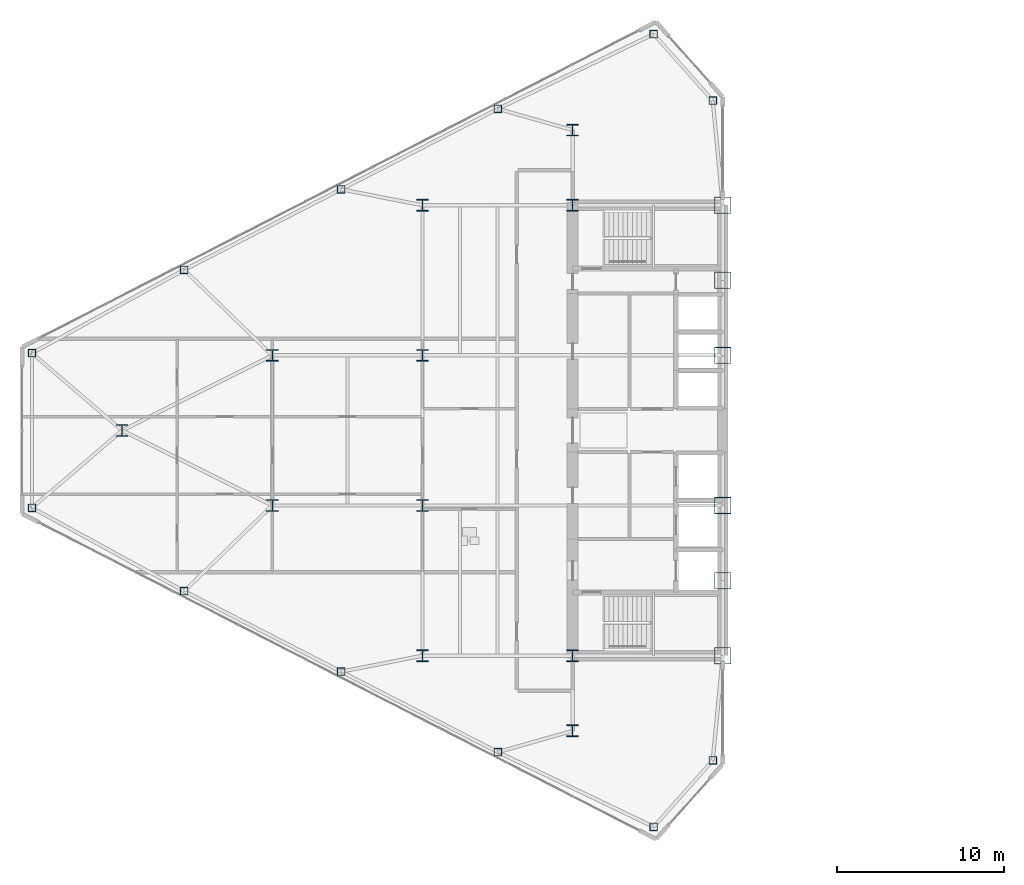
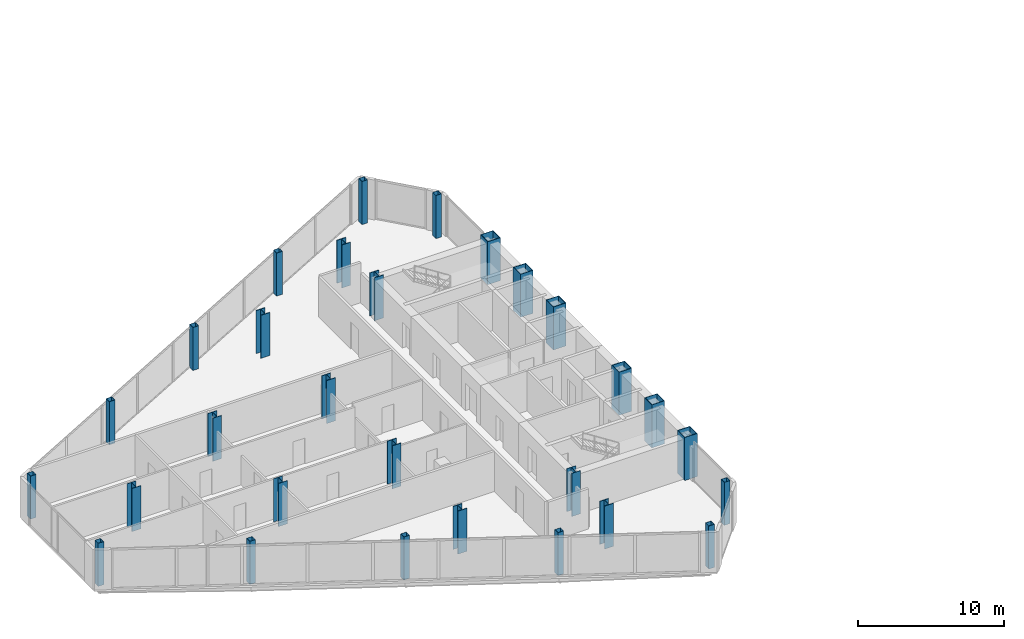
# One storey, part 1 of 23: 29 columns.
"""IFC4 building model written with IfcOpenShell, lengths in metres."""

from ifc_helpers import new_model, si_unit, direction, frame, origin, origin_2d, place, context, subcontext, project, spatial, hollow_rectangle, i_section, extrude, source, transform, mapped, material, material_profile, profile_set, type_object, type_shapes, element, save


model = new_model("IFC4")

# Units and contexts
model_context = context("Model", 3, precision=1e-05, world=origin(), true_north=direction((0.0, 1.0)))
body_context = subcontext(model_context, "Body", "Model", "MODEL_VIEW")
ifc_project = project(units=[si_unit("LENGTHUNIT", "METRE"), si_unit("AREAUNIT", "SQUARE_METRE"), si_unit("VOLUMEUNIT", "CUBIC_METRE"), si_unit("PLANEANGLEUNIT", "RADIAN"), si_unit("MASSUNIT", "GRAM", prefix="KILO")], contexts=[model_context])

# Site, building, storey
site_placement = place(None, origin())
site = spatial("IfcSite", under=ifc_project, at=site_placement, CompositionType="ELEMENT")
building_placement = place(site_placement, origin())
building = spatial("IfcBuilding", under=site, at=building_placement, Name="Seokmaru Belvedere", CompositionType="ELEMENT")
storey_placement = place(building_placement, frame((0.0, 0.0, 132.0)))
storey = spatial("IfcBuildingStorey", under=building, at=storey_placement, Name="L35", CompositionType="ELEMENT", Elevation=132.0)

# Columns
ifc_material_1 = material(Name="Steel HSA650 (650 MPa)", Category="steel")
ifc_material_profile_1 = material_profile(ifc_material_1, hollow_rectangle(XDim=1.0, YDim=1.0, WallThickness=0.0419921875, at=origin_2d()), Name="BOX-1000x1000x42")
ifc_profile_set_1 = profile_set([ifc_material_profile_1], Name="Steel HSA650 (650 MPa)")
column_type_1 = type_object("IfcColumnType", Name="Portal Spine Column BOX-1000", PredefinedType="COLUMN", material=ifc_profile_set_1)
shared_shape_1 = source(origin(), body_context, "Body", "SweptSolid", [
    extrude(hollow_rectangle(XDim=1.0, YDim=1.0, WallThickness=0.0419921875, at=origin_2d()), origin(), (0.0, 0.0, 1.0), 3.60009765625),
])
type_shapes(column_type_1, [shared_shape_1])
for number, where, z_axis, x_axis, name in (
    (1, (-27.5, -13.5, 0.0), (0.0, 0.0, 1.0), (1.0, 0.0, 0.0), "L35 Column WS1"),
    (2, (-27.5, -9.0, 0.0), (0.0, 0.0, 1.0), (1.0, 0.0, 0.0), "L35 Column WS2"),
    (3, (-27.5, -4.5, 0.0), (0.0, 0.0, 1.0), (1.0, 0.0, 0.0), "L35 Column WS3"),
    (4, (-27.5, 4.5, 0.0), (0.0, 0.0, 1.0), (1.0, 0.0, 0.0), "L35 Column WS4"),
    (5, (-27.5, 9.0, 0.0), (0.0, 0.0, 1.0), (1.0, 0.0, 0.0), "L35 Column WS5"),
    (6, (-27.5, 13.5, 0.0), (0.0, 0.0, 1.0), (1.0, 0.0, 0.0), "L35 Column WS6"),
):
    element("IfcColumn", number, at=place(storey_placement, frame(where, z_axis=z_axis, x_axis=x_axis)), inside=storey, type_object=column_type_1, Name=name, PredefinedType="COLUMN", context=body_context, shape_type="MappedRepresentation", body=[
        mapped(shared_shape_1, transform((0.0, 0.0, 0.0), scale=1.0)),
    ])
ifc_material_2 = material(Name="Steel SM355 (355 MPa)", Category="steel")
ifc_material_profile_2 = material_profile(ifc_material_2, i_section(OverallWidth=0.699951171875, OverallDepth=0.699951171875, WebThickness=0.028076171875, FlangeThickness=0.044921875, at=origin_2d()), Name="H-700x700x28x45")
ifc_profile_set_2 = profile_set([ifc_material_profile_2], Name="Steel SM355 (355 MPa)")
column_type_2 = type_object("IfcColumnType", Name="Mid Interior Column H-700", PredefinedType="COLUMN", material=ifc_profile_set_2)
shared_shape_2 = source(origin(), body_context, "Body", "SweptSolid", [
    extrude(i_section(OverallWidth=0.699951171875, OverallDepth=0.699951171875, WebThickness=0.028076171875, FlangeThickness=0.044921875, at=origin_2d()), origin(), (0.0, 0.0, 1.0), 3.60009765625),
])
type_shapes(column_type_2, [shared_shape_2])
for number, where, z_axis, x_axis, name in (
    (7, (-36.5, -18.0, 0.0), (0.0, 0.0, 1.0), (1.0, 0.0, 0.0), "L35 Column WC1"),
    (8, (-36.5, -13.5, 0.0), (0.0, 0.0, 1.0), (1.0, 0.0, 0.0), "L35 Column WC2"),
    (9, (-36.5, 13.5, 0.0), (0.0, 0.0, 1.0), (1.0, 0.0, 0.0), "L35 Column WC3"),
    (10, (-36.5, 18.0, 0.0), (0.0, 0.0, 1.0), (1.0, 0.0, 0.0), "L35 Column WC4"),
    (11, (-45.5, -13.5, 0.0), (0.0, 0.0, 1.0), (1.0, 0.0, 0.0), "L35 Column WG5_1"),
    (12, (-45.5, -4.5, 0.0), (0.0, 0.0, 1.0), (1.0, 0.0, 0.0), "L35 Column WG5_2"),
    (13, (-45.5, 4.5, 0.0), (0.0, 0.0, 1.0), (1.0, 0.0, 0.0), "L35 Column WG5_3"),
    (14, (-45.5, 13.5, 0.0), (0.0, 0.0, 1.0), (1.0, 0.0, 0.0), "L35 Column WG5_4"),
    (15, (-54.5, -4.5, 0.0), (0.0, 0.0, 1.0), (1.0, 0.0, 0.0), "L35 Column WG4P_1"),
    (16, (-54.5, 4.5, 0.0), (0.0, 0.0, 1.0), (1.0, 0.0, 0.0), "L35 Column WG4P_2"),
    (17, (-63.5, 0.0, 0.0), (0.0, 0.0, 1.0), (1.0, 0.0, 0.0), "L35 Column WG3P_1"),
):
    element("IfcColumn", number, at=place(storey_placement, frame(where, z_axis=z_axis, x_axis=x_axis)), inside=storey, type_object=column_type_2, Name=name, PredefinedType="COLUMN", context=body_context, shape_type="MappedRepresentation", body=[
        mapped(shared_shape_2, transform((0.0, 0.0, 0.0), scale=1.0)),
    ])
ifc_material_profile_3 = material_profile(ifc_material_2, hollow_rectangle(XDim=0.449951171875, YDim=0.449951171875, WallThickness=0.01806640625, at=origin_2d()), Name="HSS-450x450x18")
ifc_profile_set_3 = profile_set([ifc_material_profile_3], Name="Steel SM355 (355 MPa)")
column_type_3 = type_object("IfcColumnType", Name="Perimeter Facet Column HSS-450", PredefinedType="COLUMN", material=ifc_profile_set_3)
shared_shape_3 = source(origin(), body_context, "Body", "SweptSolid", [
    extrude(hollow_rectangle(XDim=0.449951171875, YDim=0.449951171875, WallThickness=0.01806640625, at=origin_2d()), origin(), (0.0, 0.0, 1.0), 3.60009765625),
])
type_shapes(column_type_3, [shared_shape_3])
for number, where, z_axis, x_axis, name in (
    (18, (-28.10009765625, -19.77197265625, 0.0), (0.0, 0.0, 1.0), (1.0, 0.0, 0.0), "L35 Column WF1"),
    (19, (-28.10009765625, 19.77197265625, 0.0), (0.0, 0.0, 1.0), (1.0, 0.0, 0.0), "L35 Column WF2"),
    (20, (-31.6396484375, 23.75390625, 0.0), (0.0, 0.0, 1.0), (1.0, 0.0, 0.0), "L35 Column WF3"),
    (21, (-68.89990234375, 4.633544921875, 0.0), (0.0, 0.0, 1.0), (1.0, 0.0, 0.0), "L35 Column WF4"),
    (22, (-68.89990234375, -4.633544921875, 0.0), (0.0, 0.0, 1.0), (1.0, 0.0, 0.0), "L35 Column WF5"),
    (23, (-31.6396484375, -23.75390625, 0.0), (0.0, 0.0, 1.0), (1.0, 0.0, 0.0), "L35 Column WF6"),
    (24, (-40.975830078125, -19.277587890625, 0.0), (0.0, 0.0, 1.0), (1.0, 0.0, 0.0), "L35 Column WFLK_S1"),
    (25, (-50.377197265625, -14.453369140625, 0.0), (0.0, 0.0, 1.0), (1.0, 0.0, 0.0), "L35 Column WFLK_S2"),
    (26, (-59.778564453125, -9.62890625, 0.0), (0.0, 0.0, 1.0), (1.0, 0.0, 0.0), "L35 Column WFLK_S3"),
    (27, (-40.975830078125, 19.277587890625, 0.0), (0.0, 0.0, 1.0), (1.0, 0.0, 0.0), "L35 Column WFLK_N1"),
    (28, (-50.377197265625, 14.453369140625, 0.0), (0.0, 0.0, 1.0), (1.0, 0.0, 0.0), "L35 Column WFLK_N2"),
    (29, (-59.778564453125, 9.62890625, 0.0), (0.0, 0.0, 1.0), (1.0, 0.0, 0.0), "L35 Column WFLK_N3"),
):
    element("IfcColumn", number, at=place(storey_placement, frame(where, z_axis=z_axis, x_axis=x_axis)), inside=storey, type_object=column_type_3, Name=name, PredefinedType="COLUMN", context=body_context, shape_type="MappedRepresentation", body=[
        mapped(shared_shape_3, transform((0.0, 0.0, 0.0), scale=1.0)),
    ])

save(model, "model.ifc")
